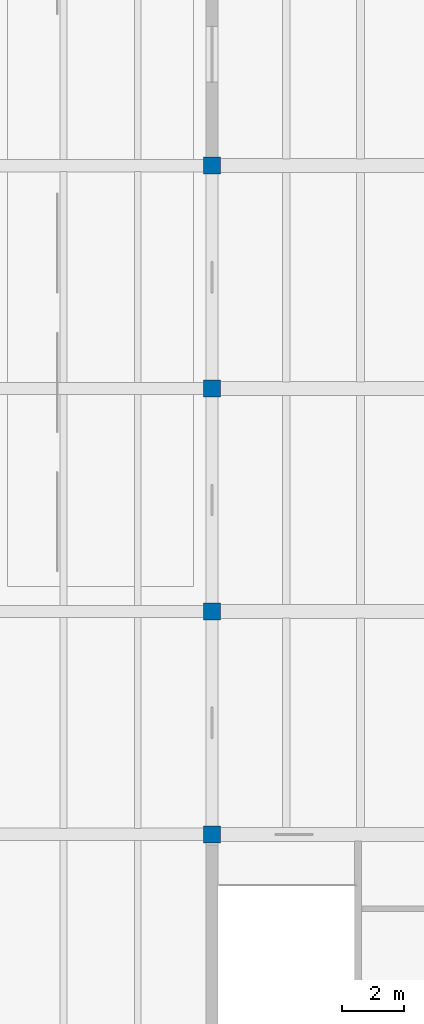
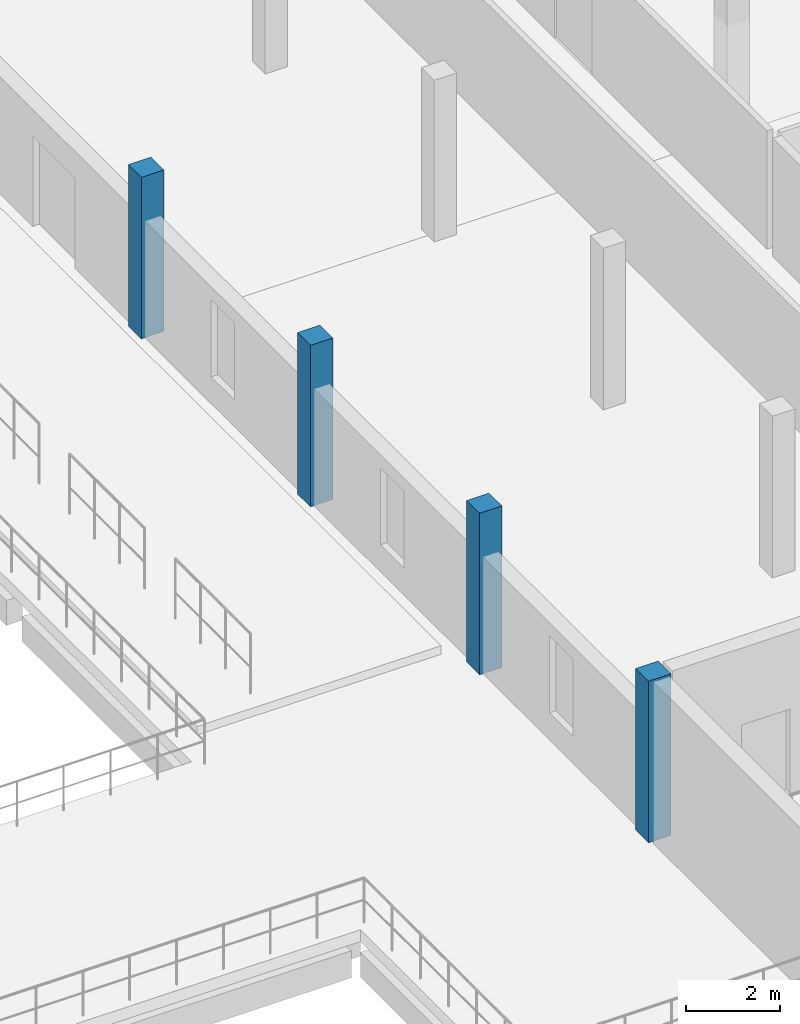
# One storey, part 6 of 63: 4 columns.
"""IFC4 building model written with IfcOpenShell, lengths in metres."""

from ifc_helpers import new_model, si_unit, direction, frame, origin, origin_2d, place, context, subcontext, project, spatial, rectangle, extrude, material, material_profile, profile_set, type_object, element, save


model = new_model("IFC4")

# Units and contexts
model_context = context("Model", 3, precision=1e-05, world=origin(), true_north=direction((0.0, 1.0)))
body_context = subcontext(model_context, "Body", "Model", "MODEL_VIEW")
ifc_project = project(units=[si_unit("LENGTHUNIT", "METRE"), si_unit("AREAUNIT", "SQUARE_METRE"), si_unit("VOLUMEUNIT", "CUBIC_METRE"), si_unit("PLANEANGLEUNIT", "RADIAN"), si_unit("MASSUNIT", "GRAM", prefix="KILO")], contexts=[model_context])

# Site, building, storey
site_placement = place(None, origin())
site = spatial("IfcSite", under=ifc_project, at=site_placement, CompositionType="ELEMENT")
building_placement = place(site_placement, origin())
building = spatial("IfcBuilding", under=site, at=building_placement, Name="Qiaolan Assembly House", CompositionType="ELEMENT")
storey_placement = place(building_placement, frame((0.0, 0.0, 14.39990234375)))
storey = spatial("IfcBuildingStorey", under=building, at=storey_placement, Name="L03", CompositionType="ELEMENT", Elevation=14.39990234375)

# Columns
ifc_material = material(Name="Concrete C40/50", Category="concrete")
ifc_material_profile = material_profile(ifc_material, rectangle(XDim=0.550048828125, YDim=0.550048828125, at=origin_2d()), Name="RC 550x550")
ifc_profile_set = profile_set([ifc_material_profile], Name="Concrete C40/50")
column_type = type_object("IfcColumnType", Name="COL-RC-550", PredefinedType="COLUMN", material=ifc_profile_set)
for number, where, z_axis, x_axis, name in (
    (1, (144.0, 36.0, 0.0), (0.0, 0.0, 1.0), (1.0, 0.0, 0.0), "RC-10 library column L03"),
    (2, (144.0, 43.199951171875, 0.0), (0.0, 0.0, 1.0), (1.0, 0.0, 0.0), "RC-10 library column L03"),
    (3, (144.0, 50.39990234375, 0.0), (0.0, 0.0, 1.0), (1.0, 0.0, 0.0), "RC-10 library column L03"),
    (4, (144.0, 57.60009765625, 0.0), (0.0, 0.0, 1.0), (1.0, 0.0, 0.0), "RC-10 library column L03"),
):
    element("IfcColumn", number, at=place(storey_placement, frame(where, z_axis=z_axis, x_axis=x_axis)), inside=storey, type_object=column_type, Name=name, PredefinedType="COLUMN", context=body_context, shape_type="SweptSolid", body=[
        extrude(rectangle(XDim=0.550048828125, YDim=0.550048828125, at=origin_2d()), origin(), (0.0, 0.0, 1.0), 4.2001953125),
    ])

save(model, "model.ifc")
